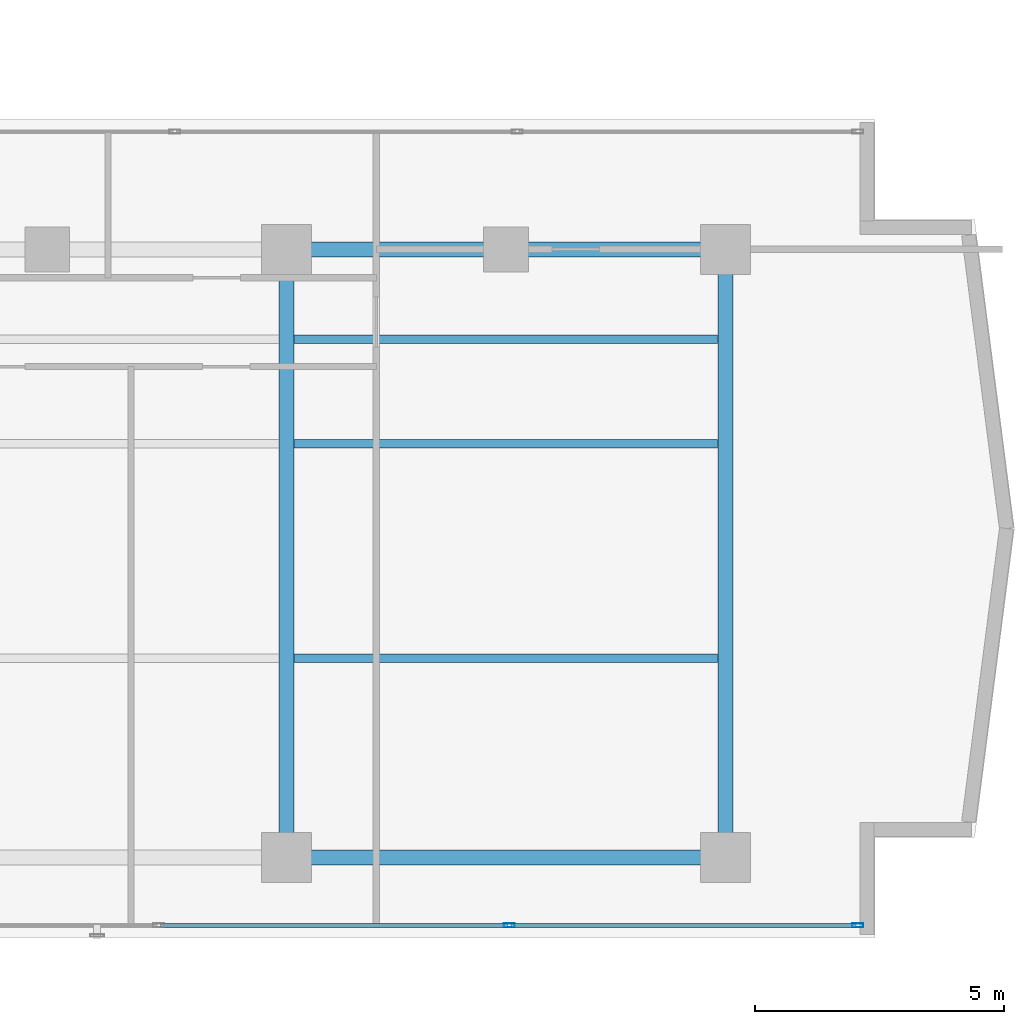
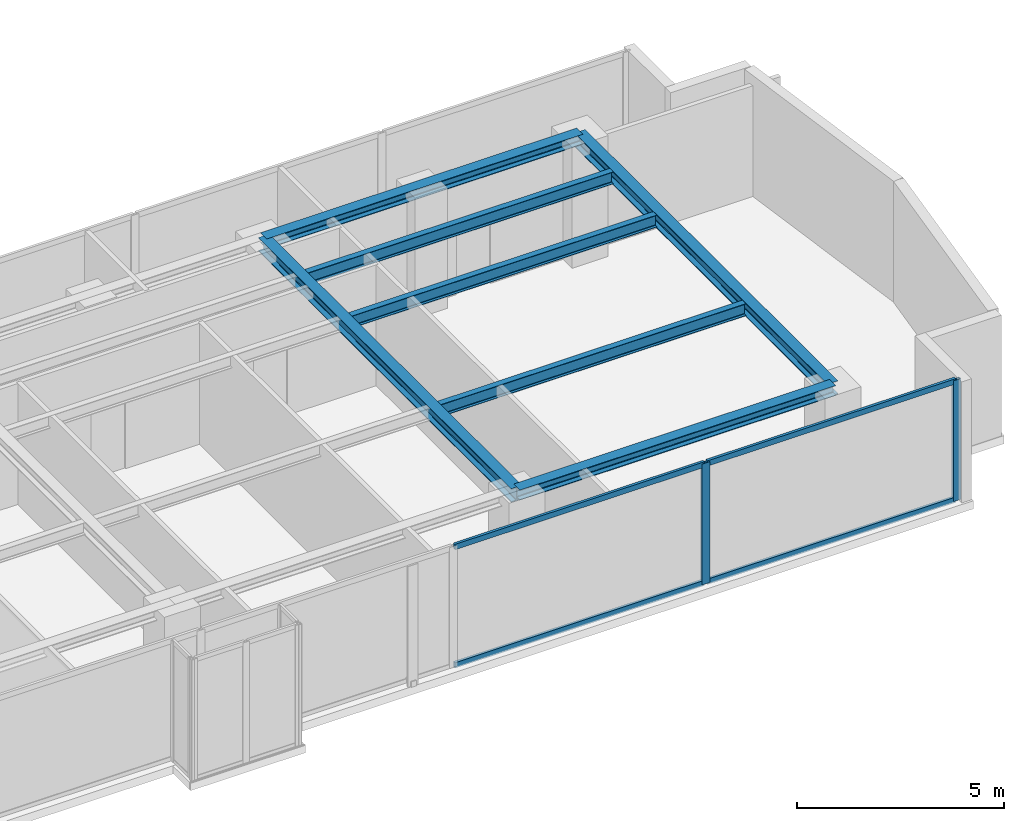
# One storey, part 11 of 23: 7 beams, 6 members, 1 element without a shape of its own.
"""IFC4 building model written with IfcOpenShell, lengths in metres."""

from ifc_helpers import new_model, si_unit, direction, frame, origin, origin_with_axes, origin_2d, place, context, subcontext, project, spatial, hollow_rectangle, i_section, extrude, source, transform, mapped, material, layer, layer_set, material_profile, profile_set, type_object, element, aggregate, save


model = new_model("IFC4")

# Units and contexts
model_context = context("Model", 3, precision=1e-05, world=origin(), true_north=direction((0.0, 1.0)))
body_context = subcontext(model_context, "Body", "Model", "MODEL_VIEW")
ifc_project = project(units=[si_unit("LENGTHUNIT", "METRE"), si_unit("AREAUNIT", "SQUARE_METRE"), si_unit("VOLUMEUNIT", "CUBIC_METRE"), si_unit("PLANEANGLEUNIT", "RADIAN"), si_unit("MASSUNIT", "GRAM", prefix="KILO")], contexts=[model_context])

# Site, building, storey
site_placement = place(None, origin())
site = spatial("IfcSite", under=ifc_project, at=site_placement, CompositionType="ELEMENT")
building_placement = place(site_placement, origin())
building = spatial("IfcBuilding", under=site, at=building_placement, Name="Kolvaren Waterfront Exchange", CompositionType="ELEMENT")
storey_placement = place(building_placement, frame((0.0, 0.0, 215.89990234375)))
storey = spatial("IfcBuildingStorey", under=building, at=storey_placement, Name="L55", CompositionType="ELEMENT", Elevation=215.89990234375)

# Beams
ifc_material_1 = material(Name="Steel S355", Category="steel")
ifc_material_profile_1 = material_profile(ifc_material_1, i_section(OverallWidth=0.300048828125, OverallDepth=0.300048828125, WebThickness=0.010986328125, FlangeThickness=0.01904296875, FilletRadius=0.027099609375, at=origin_2d()), Name="HEB300")
ifc_profile_set_1 = profile_set([ifc_material_profile_1], Name="Steel S355")
beam_type_1 = type_object("IfcBeamType", Name="STR-BM-HEB300", PredefinedType="SPANDREL", material=ifc_profile_set_1)
for number, where, z_axis, x_axis, name in (
    (1, (36.800048828125, 5.199951171875, 3.41015625), (1.0, 0.0, 0.0), (0.0, 1.0, 0.0), "L55 east-arm spandrel S3"),
    (2, (36.800048828125, 17.39990234375, 3.41015625), (1.0, 0.0, 0.0), (0.0, 1.0, 0.0), "L55 east-arm spandrel N3"),
):
    element("IfcBeam", number, at=place(storey_placement, frame(where, z_axis=z_axis, x_axis=x_axis)), inside=storey, type_object=beam_type_1, Name=name, PredefinedType="SPANDREL", context=body_context, shape_type="SweptSolid", body=[
        extrude(i_section(OverallWidth=0.300048828125, OverallDepth=0.300048828125, WebThickness=0.010986328125, FlangeThickness=0.01904296875, FilletRadius=0.027099609375, at=origin_2d()), origin(), (0.0, 0.0, 1.0), 8.800048828125),
    ])
ifc_material_profile_2 = material_profile(ifc_material_1, i_section(OverallWidth=0.300048828125, OverallDepth=0.39990234375, WebThickness=0.013427734375, FlangeThickness=0.02392578125, FilletRadius=0.027099609375, at=origin_2d()), Name="HEB400")
ifc_profile_set_2 = profile_set([ifc_material_profile_2], Name="Steel S355")
beam_type_2 = type_object("IfcBeamType", Name="STR-BM-HEB400", PredefinedType="BEAM", material=ifc_profile_set_2)
for number, where, z_axis, x_axis, name in (
    (3, (36.800048828125, 5.199951171875, 3.360107421875), (0.0, 1.0, 0.0), (-1.0, 0.0, 0.0), "L55 east-arm transverse girder X36"),
    (4, (45.60009765625, 5.199951171875, 3.360107421875), (0.0, 1.0, 0.0), (-1.0, 0.0, 0.0), "L55 east-arm transverse girder X45"),
):
    element("IfcBeam", number, at=place(storey_placement, frame(where, z_axis=z_axis, x_axis=x_axis)), inside=storey, type_object=beam_type_2, Name=name, PredefinedType="BEAM", context=body_context, shape_type="SweptSolid", body=[
        extrude(i_section(OverallWidth=0.300048828125, OverallDepth=0.39990234375, WebThickness=0.013427734375, FlangeThickness=0.02392578125, FilletRadius=0.027099609375, at=origin_2d()), origin(), (0.0, 0.0, 1.0), 12.199951171875),
    ])
ifc_material_profile_3 = material_profile(ifc_material_1, i_section(OverallWidth=0.169921875, OverallDepth=0.360107421875, WebThickness=0.008056640625, FlangeThickness=0.0126953125, FilletRadius=0.01806640625, at=origin_2d()), Name="IPE360")
ifc_profile_set_3 = profile_set([ifc_material_profile_3], Name="Steel S355")
beam_type_3 = type_object("IfcBeamType", Name="STR-BM-IPE360", PredefinedType="JOIST", material=ifc_profile_set_3)
for number, where, z_axis, x_axis, name in (
    (5, (36.951904296875, 13.5, 3.380126953125), (1.0, 0.0, 0.0), (0.0, 1.0, 0.0), "L55 east-arm composite joist 3A"),
    (6, (36.951904296875, 15.60009765625, 3.380126953125), (1.0, 0.0, 0.0), (0.0, 1.0, 0.0), "L55 east-arm composite joist 3C"),
    (7, (36.951904296875, 9.199951171875, 3.380126953125), (1.0, 0.0, 0.0), (0.0, 1.0, 0.0), "L55 east-arm composite joist 3B"),
):
    element("IfcBeam", number, at=place(storey_placement, frame(where, z_axis=z_axis, x_axis=x_axis)), inside=storey, type_object=beam_type_3, Name=name, PredefinedType="JOIST", context=body_context, shape_type="SweptSolid", body=[
        extrude(i_section(OverallWidth=0.169921875, OverallDepth=0.360107421875, WebThickness=0.008056640625, FlangeThickness=0.0126953125, FilletRadius=0.01806640625, at=origin_2d()), origin(), (0.0, 0.0, 1.0), 8.49609375),
    ])

# Curtain wall, members
ifc_material_2 = material(Name="Anodised bronze aluminium 6063-T6", Category="aluminium")
ifc_layer = layer(ifc_material_2, 0.219970703125, Name="Anodised bronze aluminium 6063-T6")
ifc_layer_set = layer_set([ifc_layer], Name="Anodised bronze aluminium 6063-T6")
curtain_wall_type = type_object("IfcCurtainWallType", Name="ARC-CW-SYS1", PredefinedType="USERDEFINED", material=ifc_layer_set)
curtain_wall_placement = place(storey_placement, origin())
curtain_wall = element("IfcCurtainWall", 8, at=curtain_wall_placement, inside=storey, type_object=curtain_wall_type, Name="L55 stick curtain wall CW1 (CW-L55-S)", ObjectType="STICK CURTAIN WALL", PredefinedType="USERDEFINED")
ifc_material_3 = material(Name="Anodised aluminium 6063-T6", Category="aluminium")
ifc_material_profile_4 = material_profile(ifc_material_3, hollow_rectangle(XDim=0.080078125, YDim=0.219970703125, WallThickness=0.0048828125, at=origin_2d()), Name="ALU-MUL-220x80x5")
ifc_profile_set_4 = profile_set([ifc_material_profile_4], Name="Anodised aluminium 6063-T6")
member_type_1 = type_object("IfcMemberType", Name="ARC-CWM-220", PredefinedType="MULLION", material=ifc_profile_set_4)
shared_shape_1 = source(origin_with_axes(), body_context, "Body", "SweptSolid", [
    extrude(hollow_rectangle(XDim=0.080078125, YDim=0.219970703125, WallThickness=0.0048828125, at=origin_2d()), origin(), (0.0, 0.0, 1.0), 3.56005859375),
])
member_1_placement = place(storey_placement, frame((41.2666015625, 3.840087890625, 0.0), z_axis=(0.0, 0.0, 1.0), x_axis=(0.0, 1.0, 0.0)))
member_1 = element("IfcMember", 9, at=member_1_placement, type_object=member_type_1, Name="CW1 mullion 6", PredefinedType="MULLION", context=body_context, shape_type="MappedRepresentation", body=[
    mapped(shared_shape_1, transform((0.0, 0.0, 0.0), x_axis=(1.0, 0.0, 0.0), y_axis=(0.0, 1.0, 0.0), z_axis=(0.0, 0.0, 1.0), scale=1.0)),
])
member_2_placement = place(storey_placement, frame((48.260009765625, 3.840087890625, 0.0), z_axis=(0.0, 0.0, 1.0), x_axis=(0.0, 1.0, 0.0)))
member_2 = element("IfcMember", 10, at=member_2_placement, type_object=member_type_1, Name="CW1 mullion 7", PredefinedType="MULLION", context=body_context, shape_type="MappedRepresentation", body=[
    mapped(shared_shape_1, transform((0.0, 0.0, 0.0), x_axis=(1.0, 0.0, 0.0), y_axis=(0.0, 1.0, 0.0), z_axis=(0.0, 0.0, 1.0), scale=1.0)),
])
ifc_material_profile_5 = material_profile(ifc_material_3, hollow_rectangle(XDim=0.074951171875, YDim=0.159912109375, WallThickness=0.00439453125, at=origin_2d()), Name="ALU-TRN-160x75x4.5")
ifc_profile_set_5 = profile_set([ifc_material_profile_5], Name="Anodised aluminium 6063-T6")
member_type_2 = type_object("IfcMemberType", Name="ARC-CWT-160", PredefinedType="USERDEFINED", material=ifc_profile_set_5)
shared_shape_2 = source(origin_with_axes(), body_context, "Body", "SweptSolid", [
    extrude(hollow_rectangle(XDim=0.074951171875, YDim=0.159912109375, WallThickness=0.00439453125, at=origin_2d()), origin(), (0.0, 0.0, 1.0), 6.913330078125),
])
member_3_placement = place(storey_placement, frame((41.306640625, 3.840087890625, 0.03759765625), z_axis=(1.0, 0.0, 0.0), x_axis=(0.0, 1.0, 0.0)))
member_3 = element("IfcMember", 11, at=member_3_placement, type_object=member_type_2, Name="CW1 transom 6.1", ObjectType="TRANSOM", PredefinedType="USERDEFINED", context=body_context, shape_type="MappedRepresentation", body=[
    mapped(shared_shape_2, transform((0.0, 0.0, 0.0), x_axis=(1.0, 0.0, 0.0), y_axis=(0.0, 1.0, 0.0), z_axis=(0.0, 0.0, 1.0), scale=1.0)),
])
member_4_placement = place(storey_placement, frame((41.306640625, 3.840087890625, 3.522705078125), z_axis=(1.0, 0.0, 0.0), x_axis=(0.0, 1.0, 0.0)))
member_4 = element("IfcMember", 12, at=member_4_placement, type_object=member_type_2, Name="CW1 transom 6.2", ObjectType="TRANSOM", PredefinedType="USERDEFINED", context=body_context, shape_type="MappedRepresentation", body=[
    mapped(shared_shape_2, transform((0.0, 0.0, 0.0), x_axis=(1.0, 0.0, 0.0), y_axis=(0.0, 1.0, 0.0), z_axis=(0.0, 0.0, 1.0), scale=1.0)),
])
shared_shape_3 = source(origin_with_axes(), body_context, "Body", "SweptSolid", [
    extrude(hollow_rectangle(XDim=0.074951171875, YDim=0.159912109375, WallThickness=0.00439453125, at=origin_2d()), origin(), (0.0, 0.0, 1.0), 6.953125),
])
member_5_placement = place(storey_placement, frame((34.2734375, 3.840087890625, 0.03759765625), z_axis=(1.0, 0.0, 0.0), x_axis=(0.0, 1.0, 0.0)))
member_5 = element("IfcMember", 13, at=member_5_placement, type_object=member_type_2, Name="CW1 transom 5.1", ObjectType="TRANSOM", PredefinedType="USERDEFINED", context=body_context, shape_type="MappedRepresentation", body=[
    mapped(shared_shape_3, transform((0.0, 0.0, 0.0), x_axis=(1.0, 0.0, 0.0), y_axis=(0.0, 1.0, 0.0), z_axis=(0.0, 0.0, 1.0), scale=1.0)),
])
member_6_placement = place(storey_placement, frame((34.2734375, 3.840087890625, 3.522705078125), z_axis=(1.0, 0.0, 0.0), x_axis=(0.0, 1.0, 0.0)))
member_6 = element("IfcMember", 14, at=member_6_placement, type_object=member_type_2, Name="CW1 transom 5.2", ObjectType="TRANSOM", PredefinedType="USERDEFINED", context=body_context, shape_type="MappedRepresentation", body=[
    mapped(shared_shape_3, transform((0.0, 0.0, 0.0), x_axis=(1.0, 0.0, 0.0), y_axis=(0.0, 1.0, 0.0), z_axis=(0.0, 0.0, 1.0), scale=1.0)),
])
aggregate(curtain_wall, [member_1, member_2, member_5, member_6, member_3, member_4])

save(model, "model.ifc")
